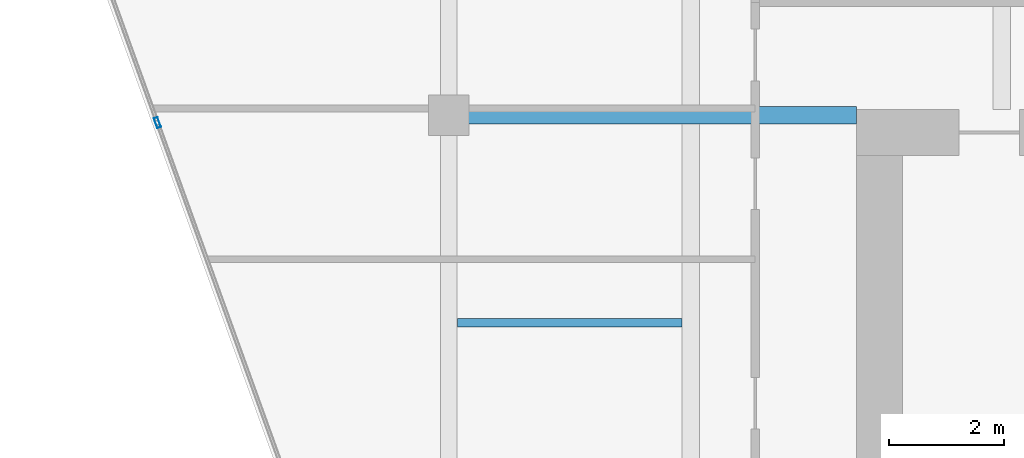
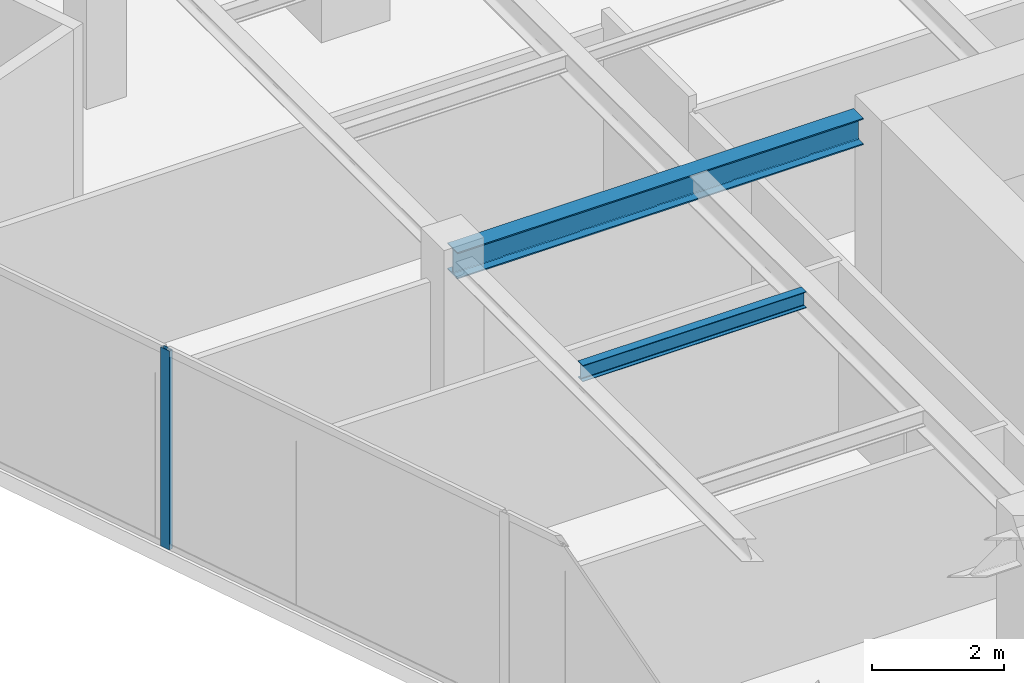
# One storey, part 5 of 21: 2 beams, 1 member, 1 element without a shape of its own.
"""IFC4 building model written with IfcOpenShell, lengths in metres."""

from ifc_helpers import new_model, si_unit, direction, frame, origin, origin_2d, place, context, subcontext, project, spatial, hollow_rectangle, i_section, extrude, source, transform, mapped, material, material_profile, profile_set, type_object, type_shapes, element, aggregate, save


model = new_model("IFC4")

# Units and contexts
model_context = context("Model", 3, precision=1e-05, world=origin(), true_north=direction((0.0, 1.0)))
body_context = subcontext(model_context, "Body", "Model", "MODEL_VIEW")
ifc_project = project(units=[si_unit("LENGTHUNIT", "METRE"), si_unit("AREAUNIT", "SQUARE_METRE"), si_unit("VOLUMEUNIT", "CUBIC_METRE"), si_unit("PLANEANGLEUNIT", "RADIAN"), si_unit("MASSUNIT", "GRAM", prefix="KILO")], contexts=[model_context])

# Site, building, storey
site_placement = place(None, origin())
site = spatial("IfcSite", under=ifc_project, at=site_placement, CompositionType="ELEMENT")
building_placement = place(site_placement, origin())
building = spatial("IfcBuilding", under=site, at=building_placement, Name="Krantzveldt Concourse Tower", CompositionType="ELEMENT")
storey_placement = place(building_placement, frame((0.0, 0.0, 331.64990234375)))
storey = spatial("IfcBuildingStorey", under=building, at=storey_placement, Name="L81", CompositionType="ELEMENT", Elevation=331.64990234375)

# Beams
ifc_material_1 = material(Name="Steel S355JR", Category="steel")
ifc_material_profile_1 = material_profile(ifc_material_1, i_section(OverallWidth=0.300048828125, OverallDepth=0.489990234375, WebThickness=0.011962890625, FlangeThickness=0.02294921875, FilletRadius=0.027099609375, at=origin_2d()), Name="Steel S355JR", Category="steel")
ifc_profile_set_1 = profile_set([ifc_material_profile_1], Name="Steel S355JR - HEA 500")
beam_type_1 = type_object("IfcBeamType", Name="BM-B-HEA500", PredefinedType="BEAM", material=ifc_profile_set_1)
shared_shape_1 = source(origin(), body_context, "Body", "SweptSolid", [
    extrude(i_section(OverallWidth=0.300048828125, OverallDepth=0.489990234375, WebThickness=0.011962890625, FlangeThickness=0.02294921875, FilletRadius=0.027099609375, at=origin_2d()), origin(), (0.0, 0.0, 1.0), 7.080078125),
])
type_shapes(beam_type_1, [shared_shape_1])
beam_1_placement = place(storey_placement, frame((21.0, 26.699951171875, 3.425048828125), z_axis=(1.0, 0.0, 0.0), x_axis=(0.0, 1.0, 0.0)))
element("IfcBeam", 1, at=beam_1_placement, inside=storey, type_object=beam_type_1, Name="L81 Tower Girder BG-CW2", PredefinedType="BEAM", context=body_context, shape_type="MappedRepresentation", body=[
    mapped(shared_shape_1, transform((0.0, 0.0, 0.0), x_axis=(1.0, 0.0, 0.0), y_axis=(0.0, 1.0, 0.0), z_axis=(0.0, 0.0, 1.0), scale=1.0)),
])
ifc_material_profile_2 = material_profile(ifc_material_1, i_section(OverallWidth=0.14990234375, OverallDepth=0.300048828125, WebThickness=0.007080078125, FlangeThickness=0.0107421875, FilletRadius=0.014892578125, at=origin_2d()), Name="Steel S355JR", Category="steel")
ifc_profile_set_2 = profile_set([ifc_material_profile_2], Name="Steel S355JR - IPE 300")
beam_type_2 = type_object("IfcBeamType", Name="BM-J-IPE300", PredefinedType="JOIST", material=ifc_profile_set_2)
shared_shape_2 = source(origin(), body_context, "Body", "SweptSolid", [
    extrude(i_section(OverallWidth=0.14990234375, OverallDepth=0.300048828125, WebThickness=0.007080078125, FlangeThickness=0.0107421875, FilletRadius=0.014892578125, at=origin_2d()), origin(), (0.0, 0.0, 1.0), 3.900146484375),
])
type_shapes(beam_type_2, [shared_shape_2])
beam_2_placement = place(storey_placement, frame((21.14990234375, 23.10009765625, 3.52001953125), z_axis=(1.0, 0.0, 0.0), x_axis=(0.0, 1.0, 0.0)))
element("IfcBeam", 2, at=beam_2_placement, inside=storey, type_object=beam_type_2, Name="L81 Secondary Floor Joist JW-2", PredefinedType="JOIST", context=body_context, shape_type="MappedRepresentation", body=[
    mapped(shared_shape_2, transform((0.0, 0.0, 0.0), x_axis=(1.0, 0.0, 0.0), y_axis=(0.0, 1.0, 0.0), z_axis=(0.0, 0.0, 1.0), scale=1.0)),
])

# Curtain wall, member
ifc_material_2 = material(Name="Anodised aluminium 6063-T6", Category="aluminium")
curtain_wall_type = type_object("IfcCurtainWallType", Name="CW4", PredefinedType="USERDEFINED", material=ifc_material_2)
curtain_wall_placement = place(storey_placement, origin())
curtain_wall = element("IfcCurtainWall", 3, at=curtain_wall_placement, inside=storey, type_object=curtain_wall_type, Name="CW-L81-F04", ObjectType="UNITISED CURTAIN WALL", PredefinedType="USERDEFINED")
ifc_material_profile_3 = material_profile(ifc_material_2, hollow_rectangle(XDim=0.070068359375, YDim=0.179931640625, WallThickness=0.0048828125, at=origin_2d()), Name="Anodised aluminium 6063-T6", Category="aluminium")
ifc_profile_set_3 = profile_set([ifc_material_profile_3], Name="Anodised aluminium 6063-T6 - ALU-MULL 180x70x5")
member_type = type_object("IfcMemberType", Name="CW-MUL-180", PredefinedType="MULLION", material=ifc_profile_set_3)
shared_shape_3 = source(origin(), body_context, "Body", "SweptSolid", [
    extrude(hollow_rectangle(XDim=0.070068359375, YDim=0.179931640625, WallThickness=0.0048828125, at=origin_2d()), origin(), (0.0, 0.0, 1.0), 3.670166015625),
])
type_shapes(member_type, [shared_shape_3])
member_placement = place(storey_placement, frame((15.9384765625, 26.572021484375, 0.0), z_axis=(0.0, 0.0, 1.0), x_axis=(0.940436624478, 0.339969050563, 0.0)))
member = element("IfcMember", 4, at=member_placement, type_object=member_type, Name="CW-Z56 mullion 2", PredefinedType="MULLION", context=body_context, shape_type="MappedRepresentation", body=[
    mapped(shared_shape_3, transform((0.0, 0.0, 0.0), x_axis=(1.0, 0.0, 0.0), y_axis=(0.0, 1.0, 0.0), z_axis=(0.0, 0.0, 1.0), scale=1.0)),
])
aggregate(curtain_wall, [member])

save(model, "model.ifc")
